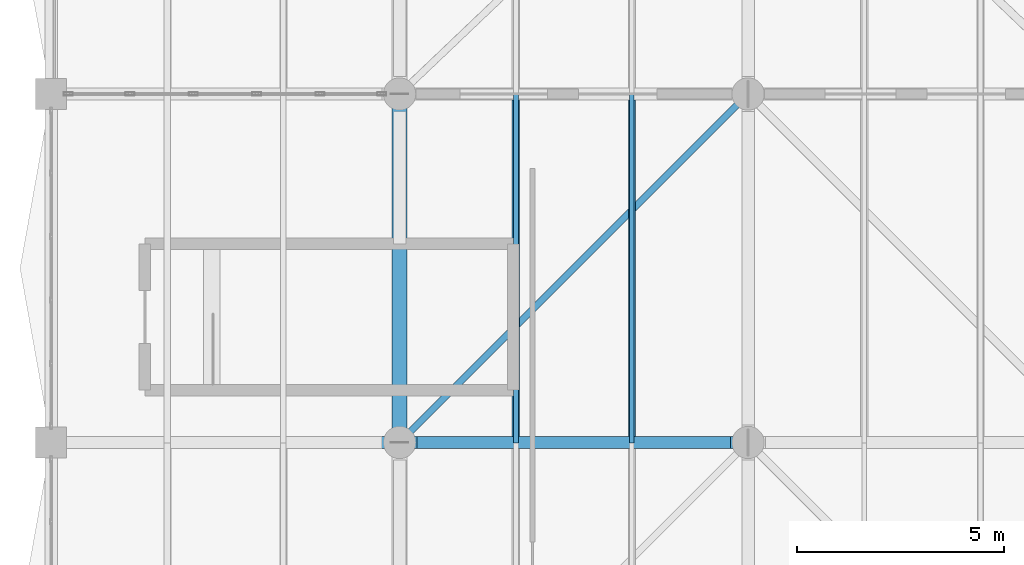
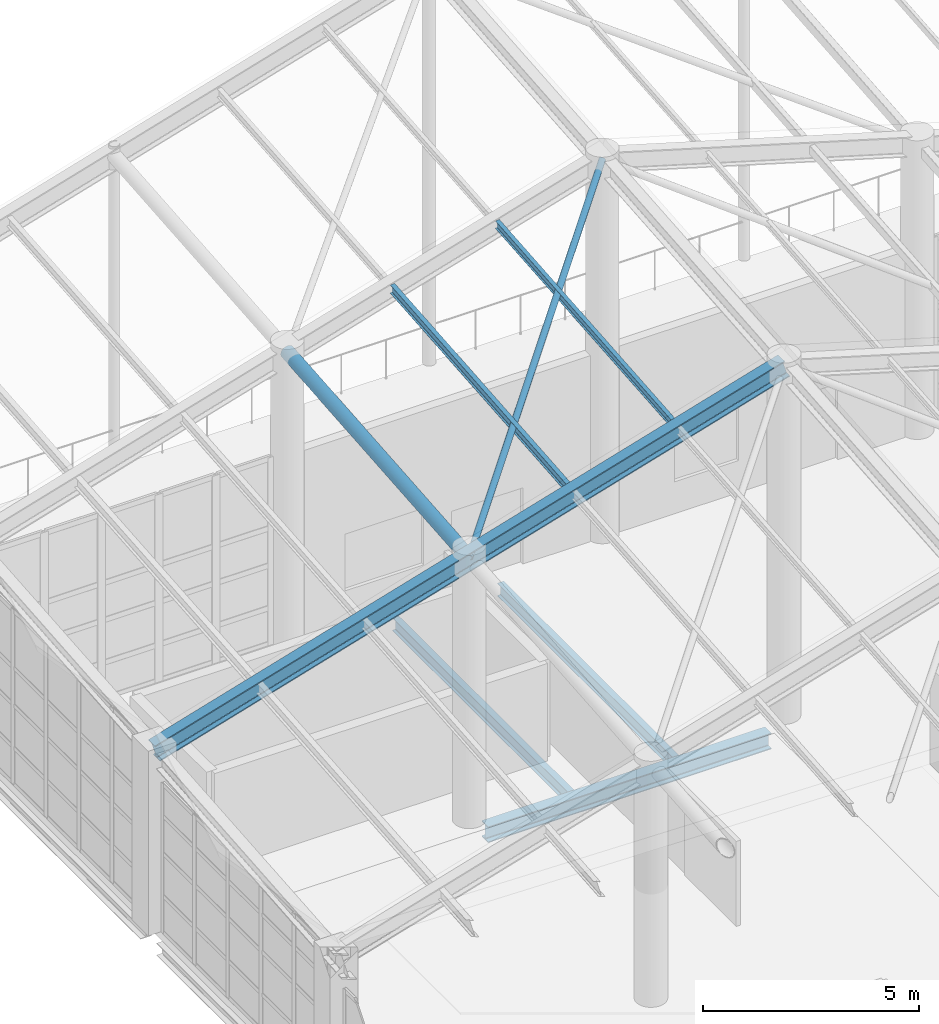
# One storey, part 44 of 95: 5 members, 3 beams.
"""IFC4 building model written with IfcOpenShell, lengths in metres."""

from ifc_helpers import new_model, si_unit, direction, frame, origin, origin_2d, place, context, subcontext, project, spatial, hollow_circle, i_section, extrude, material, material_profile, profile_set, type_object, element, save


model = new_model("IFC4")

# Units and contexts
model_context = context("Model", 3, precision=1e-05, world=origin(), true_north=direction((0.0, 1.0)))
body_context = subcontext(model_context, "Body", "Model", "MODEL_VIEW")
ifc_project = project(units=[si_unit("LENGTHUNIT", "METRE"), si_unit("AREAUNIT", "SQUARE_METRE"), si_unit("VOLUMEUNIT", "CUBIC_METRE"), si_unit("PLANEANGLEUNIT", "RADIAN"), si_unit("MASSUNIT", "GRAM", prefix="KILO"), si_unit("THERMODYNAMICTEMPERATUREUNIT", "KELVIN"), si_unit("POWERUNIT", "WATT")], contexts=[model_context])

# Site, building, storey
site_placement = place(None, origin())
site = spatial("IfcSite", under=ifc_project, at=site_placement, CompositionType="ELEMENT")
building_placement = place(site_placement, origin())
building = spatial("IfcBuilding", under=site, at=building_placement, Name="Mavoryth Pier Ferry Terminal", CompositionType="ELEMENT")
storey_placement = place(building_placement, frame((0.0, 0.0, 9.60009765625)))
storey = spatial("IfcBuildingStorey", under=building, at=storey_placement, Name="L02", CompositionType="ELEMENT", Elevation=9.60009765625)

# Beam
ifc_material = material(Name="Steel S355J2", Category="steel")
ifc_material_profile_1 = material_profile(ifc_material, i_section(OverallWidth=0.300048828125, OverallDepth=0.449951171875, WebThickness=0.013916015625, FlangeThickness=0.02587890625, FilletRadius=0.027099609375, at=origin_2d()), Name="HEB 450", Category="steel")
ifc_profile_set_1 = profile_set([ifc_material_profile_1], Name="Steel S355J2 - HEB 450")
beam_type_1 = type_object("IfcBeamType", Name="Beam-Steel-HEB450", PredefinedType="BEAM", material=ifc_profile_set_1)
beam_placement = place(storey_placement, frame((8.824951171875, 97.60009765625, -0.505126953125), z_axis=(1.0, 0.0, 0.0), x_axis=(0.0, 1.0, 0.0)))
element("IfcBeam", 1, at=beam_placement, inside=storey, type_object=beam_type_1, Name="Beam B02-SB02-0617", PredefinedType="BEAM", context=body_context, shape_type="SweptSolid", body=[
    extrude(i_section(OverallWidth=0.300048828125, OverallDepth=0.449951171875, WebThickness=0.013916015625, FlangeThickness=0.02587890625, FilletRadius=0.027099609375, at=origin_2d()), origin(), (0.0, 0.0, 1.0), 7.550048828125),
])

# Members
ifc_material_profile_2 = material_profile(ifc_material, hollow_circle(Radius=0.084228515625, WallThickness=0.008056640625, at=origin_2d()), Name="CHS 168.3x8.0", Category="steel")
ifc_profile_set_2 = profile_set([ifc_material_profile_2], Name="Steel S355J2 - CHS 168.3x8.0")
member_type_1 = type_object("IfcMemberType", Name="Brace-Roof-CHS168", PredefinedType="BRACE", material=ifc_profile_set_2)
member_1_placement = place(storey_placement, frame((8.39990234375, 97.60009765625, 7.37060546875), z_axis=(0.682888799179, 0.682868951799, 0.259524339177), x_axis=(-0.707096505339, 0.707117056885, 0.0)))
element("IfcMember", 2, at=member_1_placement, inside=storey, type_object=member_type_1, Name="Steel Member MB-L02-0173", PredefinedType="BRACE", context=body_context, shape_type="SweptSolid", body=[
    extrude(hollow_circle(Radius=0.084228515625, WallThickness=0.008056640625, at=origin_2d()), origin(), (0.0, 0.0, 1.0), 12.30078125),
])
ifc_material_profile_3 = material_profile(ifc_material, hollow_circle(Radius=0.177734375, WallThickness=0.01611328125, at=origin_2d()), Name="CHS 355.6x16.0", Category="steel")
ifc_profile_set_3 = profile_set([ifc_material_profile_3], Name="Steel S355J2 - CHS 355.6x16.0")
member_type_2 = type_object("IfcMemberType", Name="Chord-Valley-CHS356", PredefinedType="CHORD", material=ifc_profile_set_3)
member_2_placement = place(storey_placement, frame((8.39990234375, 97.60009765625, 7.37060546875), z_axis=(0.0, 0.996405760474, 0.084708680154), x_axis=(-1.0, 0.0, 0.0)))
element("IfcMember", 3, at=member_2_placement, inside=storey, type_object=member_type_2, Name="Steel Member MB-L02-0163", PredefinedType="CHORD", context=body_context, shape_type="SweptSolid", body=[
    extrude(hollow_circle(Radius=0.177734375, WallThickness=0.01611328125, at=origin_2d()), origin(), (0.0, 0.0, 1.0), 8.43017578125),
])

# Beams
ifc_material_profile_4 = material_profile(ifc_material, i_section(OverallWidth=0.169921875, OverallDepth=0.360107421875, WebThickness=0.008056640625, FlangeThickness=0.0126953125, FilletRadius=0.01806640625, at=origin_2d()), Name="IPE 360", Category="steel")
ifc_profile_set_4 = profile_set([ifc_material_profile_4], Name="Steel S355J2 - IPE 360")
beam_type_2 = type_object("IfcBeamType", Name="Joist-Steel-IPE360", PredefinedType="JOIST", material=ifc_profile_set_4)
for number, where, z_axis, x_axis, name in (
    (4, (11.199951171875, 97.75, -0.460205078125), (0.0, 1.0, 0.0), (-1.0, 0.0, 0.0), "Beam B02-SJ02-0667"),
    (5, (14.0, 97.75, -0.460205078125), (0.0, 1.0, 0.0), (-1.0, 0.0, 0.0), "Beam B02-SJ02-0668"),
):
    element("IfcBeam", number, at=place(storey_placement, frame(where, z_axis=z_axis, x_axis=x_axis)), inside=storey, type_object=beam_type_2, Name=name, PredefinedType="JOIST", context=body_context, shape_type="SweptSolid", body=[
        extrude(i_section(OverallWidth=0.169921875, OverallDepth=0.360107421875, WebThickness=0.008056640625, FlangeThickness=0.0126953125, FilletRadius=0.01806640625, at=origin_2d()), origin(), (0.0, 0.0, 1.0), 8.10009765625),
    ])

# Members
ifc_material_profile_5 = material_profile(ifc_material, i_section(OverallWidth=0.110107421875, OverallDepth=0.219970703125, WebThickness=0.005859375, FlangeThickness=0.00927734375, FilletRadius=0.011962890625, at=origin_2d()), Name="IPE 220", Category="steel")
ifc_profile_set_5 = profile_set([ifc_material_profile_5], Name="Steel S355J2 - IPE 220")
member_type_3 = type_object("IfcMemberType", Name="Purlin-Roof-IPE220", PredefinedType="PURLIN", material=ifc_profile_set_5)
member_3_placement = place(storey_placement, frame((14.0, 97.60009765625, 9.01611328125), z_axis=(0.0, 0.996405760474, 0.084708680154), x_axis=(-1.0, 0.0, 0.0)))
element("IfcMember", 6, at=member_3_placement, inside=storey, type_object=member_type_3, Name="Steel Member MB-L02-0168", PredefinedType="PURLIN", context=body_context, shape_type="SweptSolid", body=[
    extrude(i_section(OverallWidth=0.110107421875, OverallDepth=0.219970703125, WebThickness=0.005859375, FlangeThickness=0.00927734375, FilletRadius=0.011962890625, at=origin_2d()), origin(), (0.0, 0.0, 1.0), 8.43017578125),
])
ifc_material_profile_6 = material_profile(ifc_material, i_section(OverallWidth=0.1201171875, OverallDepth=0.239990234375, WebThickness=0.006103515625, FlangeThickness=0.009765625, FilletRadius=0.014892578125, at=origin_2d()), Name="IPE 240", Category="steel")
ifc_profile_set_6 = profile_set([ifc_material_profile_6], Name="Steel S355J2 - IPE 240")
member_type_4 = type_object("IfcMemberType", Name="Purlin-Roof-IPE240", PredefinedType="PURLIN", material=ifc_profile_set_6)
member_4_placement = place(storey_placement, frame((11.199951171875, 97.60009765625, 8.18310546875), z_axis=(0.0, 0.996400870108, 0.084766184584), x_axis=(-1.0, 0.0, 0.0)))
element("IfcMember", 7, at=member_4_placement, inside=storey, type_object=member_type_4, Name="Steel Member MB-L02-0167", PredefinedType="PURLIN", context=body_context, shape_type="SweptSolid", body=[
    extrude(i_section(OverallWidth=0.1201171875, OverallDepth=0.239990234375, WebThickness=0.006103515625, FlangeThickness=0.009765625, FilletRadius=0.014892578125, at=origin_2d()), origin(), (0.0, 0.0, 1.0), 8.43017578125),
])
ifc_material_profile_7 = material_profile(ifc_material, i_section(OverallWidth=0.300048828125, OverallDepth=0.5, WebThickness=0.014404296875, FlangeThickness=0.028076171875, FilletRadius=0.027099609375, at=origin_2d()), Name="HEB 500", Category="steel")
ifc_profile_set_7 = profile_set([ifc_material_profile_7], Name="Steel S355J2 - HEB 500")
member_type_5 = type_object("IfcMemberType", Name="Rafter-Folded-HEB500", PredefinedType="RAFTER", material=ifc_profile_set_7)
member_5_placement = place(storey_placement, frame((0.0, 97.60009765625, 4.872314453125), z_axis=(0.958821022036, 0.0, 0.284010999261), x_axis=(0.0, 1.0, 0.0)))
element("IfcMember", 8, at=member_5_placement, inside=storey, type_object=member_type_5, Name="Steel Member MB-L02-0019", PredefinedType="RAFTER", context=body_context, shape_type="SweptSolid", body=[
    extrude(i_section(OverallWidth=0.300048828125, OverallDepth=0.5, WebThickness=0.014404296875, FlangeThickness=0.028076171875, FilletRadius=0.027099609375, at=origin_2d()), origin(), (0.0, 0.0, 1.0), 17.521484375),
])

save(model, "model.ifc")
